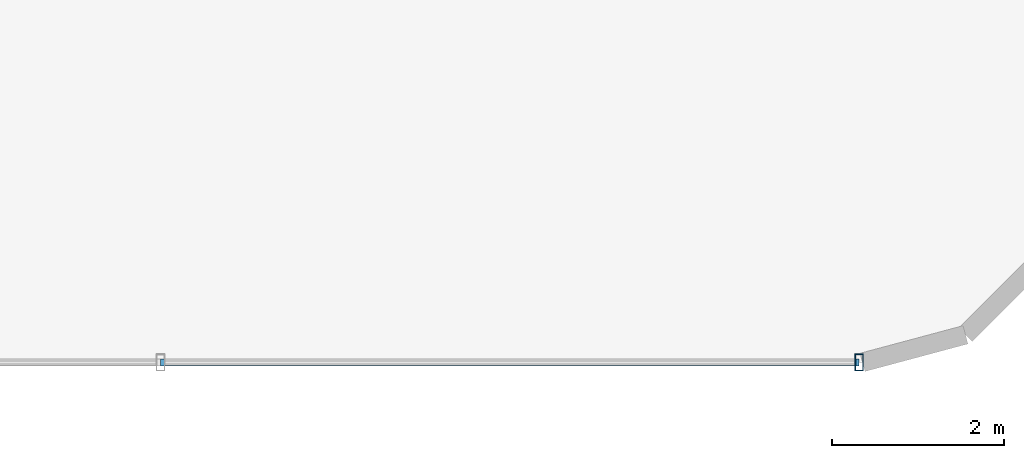
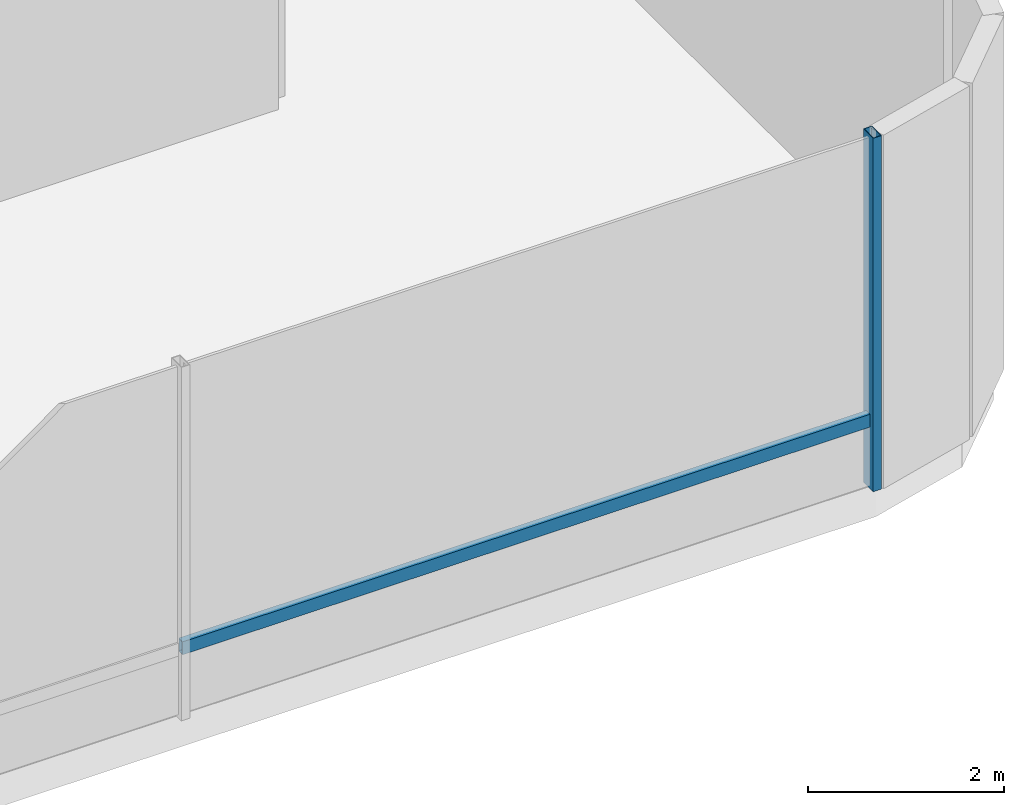
# One storey, part 6 of 22: 2 members, 1 element without a shape of its own.
"""IFC4 building model written with IfcOpenShell, lengths in metres."""

from ifc_helpers import new_model, si_unit, direction, frame, origin, origin_2d, place, context, subcontext, project, spatial, hollow_rectangle, extrude, source, transform, mapped, material, material_profile, profile_set, type_object, element, aggregate, save


model = new_model("IFC4")

# Units and contexts
model_context = context("Model", 3, precision=1e-05, world=origin(), true_north=direction((0.0, 1.0)))
body_context = subcontext(model_context, "Body", "Model", "MODEL_VIEW")
ifc_project = project(units=[si_unit("LENGTHUNIT", "METRE"), si_unit("AREAUNIT", "SQUARE_METRE"), si_unit("VOLUMEUNIT", "CUBIC_METRE"), si_unit("PLANEANGLEUNIT", "RADIAN"), si_unit("MASSUNIT", "GRAM", prefix="KILO")], contexts=[model_context])

# Site, building, storey
site_placement = place(None, origin())
site = spatial("IfcSite", under=ifc_project, at=site_placement, CompositionType="ELEMENT")
building_placement = place(site_placement, origin())
building = spatial("IfcBuilding", under=site, at=building_placement, Name="Sahyath Konkavel Grand Hotel", CompositionType="ELEMENT")
storey_placement = place(building_placement, frame((0.0, 0.0, 9.300048828125)))
storey = spatial("IfcBuildingStorey", under=building, at=storey_placement, Name="L02", CompositionType="ELEMENT", Elevation=9.300048828125)

# Curtain wall, members
ifc_material_1 = material(Name="Anodised Bronze Aluminium & Low-E Glazing", Category="aluminium")
curtain_wall_type = type_object("IfcCurtainWallType", Name="CW-PODIUM", PredefinedType="NOTDEFINED", material=ifc_material_1)
curtain_wall_placement = place(storey_placement, origin())
curtain_wall = element("IfcCurtainWall", 1, at=curtain_wall_placement, inside=storey, type_object=curtain_wall_type, Name="L02 Unitised Curtain Wall S", PredefinedType="NOTDEFINED")
ifc_material_2 = material(Name="Anodised Bronze Aluminium", Category="aluminium")
ifc_material_profile_1 = material_profile(ifc_material_2, hollow_rectangle(XDim=0.10009765625, YDim=0.199951171875, WallThickness=0.008056640625, at=origin_2d()), Name="RHS 200x100x8")
ifc_profile_set_1 = profile_set([ifc_material_profile_1], Name="Anodised Bronze Aluminium")
member_type_1 = type_object("IfcMemberType", Name="CW-MUL-200", PredefinedType="MULLION", material=ifc_profile_set_1)
shared_shape_1 = source(origin(), body_context, "Body", "SweptSolid", [
    extrude(hollow_rectangle(XDim=0.10009765625, YDim=0.199951171875, WallThickness=0.008056640625, at=origin_2d()), origin(), (0.0, 0.0, 1.0), 4.39990234375),
])
member_1_placement = place(storey_placement, frame((28.5009765625, -23.092041015625, 0.0), z_axis=(0.0, 0.0, 1.0), x_axis=(1.0, 0.0, 0.0)))
member_1 = element("IfcMember", 2, at=member_1_placement, type_object=member_type_1, Name="L02 Curtain Wall Mullion S-7", PredefinedType="MULLION", context=body_context, shape_type="MappedRepresentation", body=[
    mapped(shared_shape_1, transform((0.0, 0.0, 0.0), scale=1.0)),
])
ifc_material_profile_2 = material_profile(ifc_material_2, hollow_rectangle(XDim=0.080078125, YDim=0.159912109375, WallThickness=0.006103515625, at=origin_2d()), Name="RHS 160x80x6")
ifc_profile_set_2 = profile_set([ifc_material_profile_2], Name="Anodised Bronze Aluminium")
member_type_2 = type_object("IfcMemberType", Name="CW-TRN-160", PredefinedType="USERDEFINED", material=ifc_profile_set_2)
shared_shape_2 = source(origin(), body_context, "Body", "SweptSolid", [
    extrude(hollow_rectangle(XDim=0.080078125, YDim=0.159912109375, WallThickness=0.006103515625, at=origin_2d()), origin(), (0.0, 0.0, 1.0), 8.14306640625),
])
member_2_placement = place(storey_placement, frame((20.35791015625, -23.092041015625, 0.849853515625), z_axis=(1.0, 0.0, 0.0), x_axis=(0.0, 1.0, 0.0)))
member_2 = element("IfcMember", 3, at=member_2_placement, type_object=member_type_2, Name="L02 Curtain Wall Transom S-6-spandrel", ObjectType="TRANSOM", PredefinedType="USERDEFINED", context=body_context, shape_type="MappedRepresentation", body=[
    mapped(shared_shape_2, transform((0.0, 0.0, 0.0), scale=1.0)),
])
aggregate(curtain_wall, [member_1, member_2])

save(model, "model.ifc")
